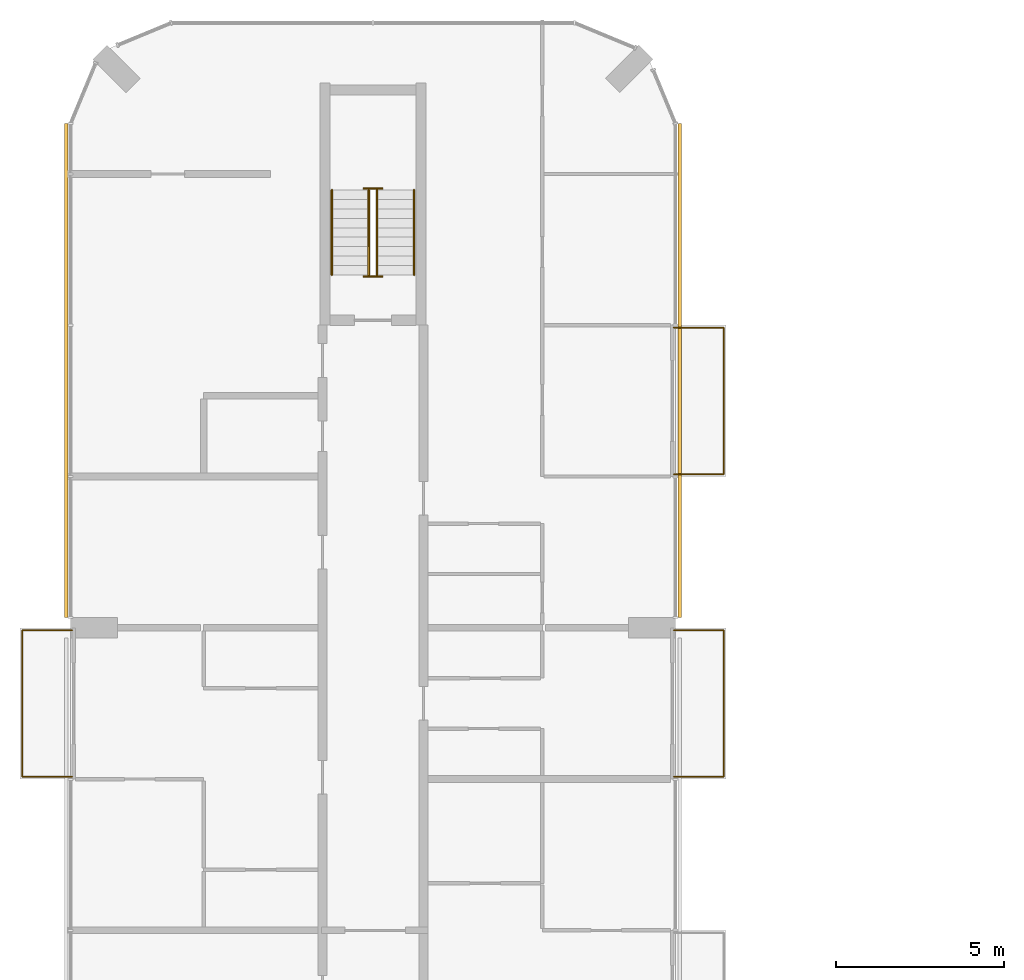
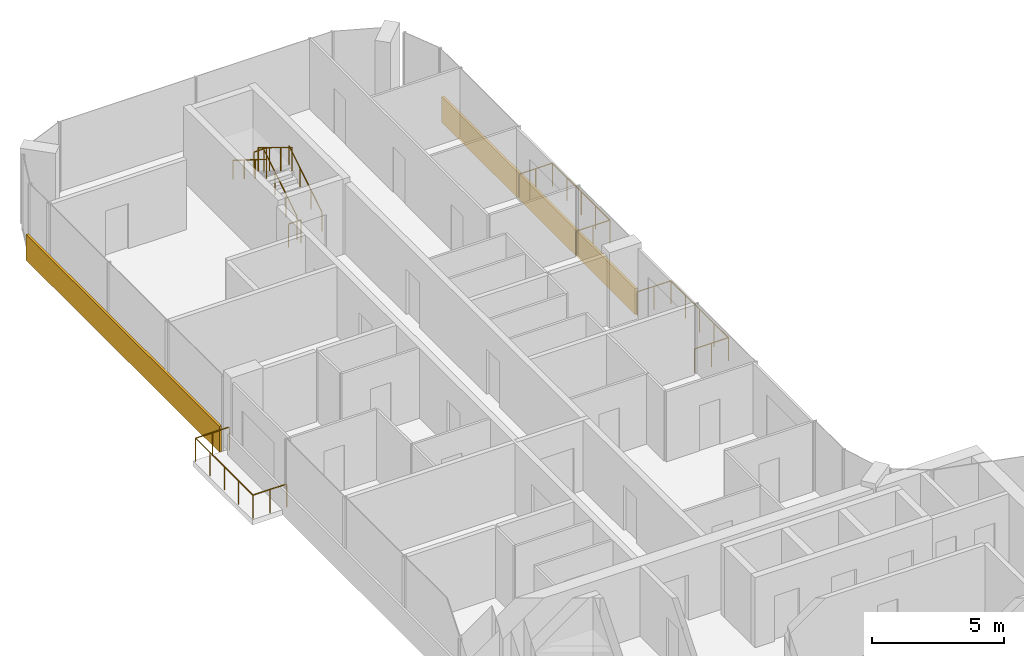
# One storey, part 15 of 15: 9 railings, 2 coverings.
"""IFC4 building model written with IfcOpenShell, lengths in metres."""

from ifc_helpers import new_model, si_unit, direction, frame, origin, origin_2d, place, context, subcontext, project, spatial, rectangle, circle, extrude, material, layer, layer_set, type_object, element, save


model = new_model("IFC4")

# Units and contexts
model_context = context("Model", 3, precision=1e-05, world=origin(), true_north=direction((0.0, 1.0)))
body_context = subcontext(model_context, "Body", "Model", "MODEL_VIEW")
ifc_project = project(units=[si_unit("LENGTHUNIT", "METRE"), si_unit("AREAUNIT", "SQUARE_METRE"), si_unit("VOLUMEUNIT", "CUBIC_METRE"), si_unit("PLANEANGLEUNIT", "RADIAN"), si_unit("MASSUNIT", "GRAM", prefix="KILO")], contexts=[model_context])

# Site, building, storey
site_placement = place(None, origin())
site = spatial("IfcSite", under=ifc_project, at=site_placement, CompositionType="ELEMENT")
building_placement = place(site_placement, origin())
building = spatial("IfcBuilding", under=site, at=building_placement, Name="Plateau Cross Towers", CompositionType="ELEMENT")
storey_placement = place(building_placement, frame((0.0, 0.0, 208.39990234375)))
storey = spatial("IfcBuildingStorey", under=building, at=storey_placement, Name="L54", CompositionType="ELEMENT", Elevation=208.39990234375)

# Railings
ifc_material_1 = material(Name="Stainless steel and toughened glass", Category="steel")
railing_type_1 = type_object("IfcRailingType", Name="Glass balustrade guard 1100", PredefinedType="GUARDRAIL", material=ifc_material_1)
railing_1_placement = place(storey_placement, frame((0.050048828125, 31.570068359375, 0.0)))
element("IfcRailing", 1, at=railing_1_placement, inside=storey, type_object=railing_type_1, Name="Guard guard1", PredefinedType="GUARDRAIL", context=body_context, shape_type="SweptSolid", body=[
    extrude(circle(Radius=0.02392578125, at=origin_2d()), frame((0.0, 0.0, 1.076171875), z_axis=(-1.0, 0.0, 0.0), x_axis=(0.0, -1.0, 0.0)), (0.0, 0.0, 1.0), 1.47998046875),
    extrude(circle(Radius=0.02392578125, at=origin_2d()), frame((-1.47998046875, 0.0, 1.076171875), z_axis=(0.0, 1.0, 0.0), x_axis=(-1.0, 0.0, 0.0)), (0.0, 0.0, 1.0), 4.35986328125),
    extrude(circle(Radius=0.02392578125, at=origin_2d()), frame((-1.47998046875, 4.35986328125, 1.076171875), z_axis=(1.0, 0.0, 0.0), x_axis=(0.0, 1.0, 0.0)), (0.0, 0.0, 1.0), 1.47998046875),
    extrude(circle(Radius=0.02099609375, at=origin_2d()), origin(), (0.0, 0.0, 1.0), 1.052001953125),
    extrude(circle(Radius=0.02099609375, at=origin_2d()), frame((-0.739990234375, 0.0, 0.0)), (0.0, 0.0, 1.0), 1.052001953125),
    extrude(circle(Radius=0.02099609375, at=origin_2d()), frame((-1.47998046875, 0.0, 0.0)), (0.0, 0.0, 1.0), 1.052001953125),
    extrude(circle(Radius=0.02099609375, at=origin_2d()), frame((-1.47998046875, 1.08984375, 0.0)), (0.0, 0.0, 1.0), 1.052001953125),
    extrude(circle(Radius=0.02099609375, at=origin_2d()), frame((-1.47998046875, 2.179931640625, 0.0)), (0.0, 0.0, 1.0), 1.052001953125),
    extrude(circle(Radius=0.02099609375, at=origin_2d()), frame((-1.47998046875, 3.27001953125, 0.0)), (0.0, 0.0, 1.0), 1.052001953125),
    extrude(circle(Radius=0.02099609375, at=origin_2d()), frame((-1.47998046875, 4.35986328125, 0.0)), (0.0, 0.0, 1.0), 1.052001953125),
    extrude(circle(Radius=0.02099609375, at=origin_2d()), frame((-0.739990234375, 4.35986328125, 0.0)), (0.0, 0.0, 1.0), 1.052001953125),
    extrude(circle(Radius=0.02099609375, at=origin_2d()), frame((0.0, 4.35986328125, 0.0)), (0.0, 0.0, 1.0), 1.052001953125),
])
for number, where, name in (
    (2, (17.949951171875, 35.929931640625, 0.0), "Guard guard1"),
    (3, (17.949951171875, 44.929931640625, 0.0), "Guard guard1"),
):
    element("IfcRailing", number, at=place(storey_placement, frame(where)), inside=storey, type_object=railing_type_1, Name=name, PredefinedType="GUARDRAIL", context=body_context, shape_type="SweptSolid", body=[
        extrude(circle(Radius=0.02392578125, at=origin_2d()), frame((0.0, 0.0, 1.076171875), z_axis=(1.0, 0.0, 0.0), x_axis=(0.0, 1.0, 0.0)), (0.0, 0.0, 1.0), 1.47998046875),
        extrude(circle(Radius=0.02392578125, at=origin_2d()), frame((1.47998046875, 0.0, 1.076171875), z_axis=(0.0, -1.0, 0.0), x_axis=(1.0, 0.0, 0.0)), (0.0, 0.0, 1.0), 4.35986328125),
        extrude(circle(Radius=0.02392578125, at=origin_2d()), frame((1.47998046875, -4.35986328125, 1.076171875), z_axis=(-1.0, 0.0, 0.0), x_axis=(0.0, -1.0, 0.0)), (0.0, 0.0, 1.0), 1.47998046875),
        extrude(circle(Radius=0.02099609375, at=origin_2d()), origin(), (0.0, 0.0, 1.0), 1.052001953125),
        extrude(circle(Radius=0.02099609375, at=origin_2d()), frame((0.739990234375, 0.0, 0.0)), (0.0, 0.0, 1.0), 1.052001953125),
        extrude(circle(Radius=0.02099609375, at=origin_2d()), frame((1.47998046875, 0.0, 0.0)), (0.0, 0.0, 1.0), 1.052001953125),
        extrude(circle(Radius=0.02099609375, at=origin_2d()), frame((1.47998046875, -1.08984375, 0.0)), (0.0, 0.0, 1.0), 1.052001953125),
        extrude(circle(Radius=0.02099609375, at=origin_2d()), frame((1.47998046875, -2.179931640625, 0.0)), (0.0, 0.0, 1.0), 1.052001953125),
        extrude(circle(Radius=0.02099609375, at=origin_2d()), frame((1.47998046875, -3.27001953125, 0.0)), (0.0, 0.0, 1.0), 1.052001953125),
        extrude(circle(Radius=0.02099609375, at=origin_2d()), frame((1.47998046875, -4.35986328125, 0.0)), (0.0, 0.0, 1.0), 1.052001953125),
        extrude(circle(Radius=0.02099609375, at=origin_2d()), frame((0.739990234375, -4.35986328125, 0.0)), (0.0, 0.0, 1.0), 1.052001953125),
        extrude(circle(Radius=0.02099609375, at=origin_2d()), frame((0.0, -4.35986328125, 0.0)), (0.0, 0.0, 1.0), 1.052001953125),
    ])
railing_type_2 = type_object("IfcRailingType", Name="RL-GUARD-1100", PredefinedType="GUARDRAIL", material=ifc_material_1)
railing_2_placement = place(storey_placement, frame((9.125, 46.5, 0.175048828125)))
element("IfcRailing", 4, at=railing_2_placement, inside=storey, type_object=railing_type_2, Name="L54 ES-N stair guard 1", PredefinedType="GUARDRAIL", context=body_context, shape_type="SweptSolid", body=[
    extrude(circle(Radius=0.02392578125, at=origin_2d()), frame((0.0, 0.0, 1.076171875), z_axis=(0.0, 0.848007534815, 0.529984170421), x_axis=(-1.0, 0.0, 0.0)), (0.0, 0.0, 1.0), 2.9716796875),
    extrude(circle(Radius=0.02099609375, at=origin_2d()), origin(), (0.0, 0.0, 1.0), 1.052001953125),
    extrude(circle(Radius=0.02099609375, at=origin_2d()), frame((0.0, 0.840087890625, 0.52490234375)), (0.0, 0.0, 1.0), 1.052001953125),
    extrude(circle(Radius=0.02099609375, at=origin_2d()), frame((0.0, 1.679931640625, 1.050048828125)), (0.0, 0.0, 1.0), 1.052001953125),
    extrude(circle(Radius=0.02099609375, at=origin_2d()), frame((0.0, 2.52001953125, 1.574951171875)), (0.0, 0.0, 1.0), 1.052001953125),
])
railing_3_placement = place(storey_placement, frame((9.27490234375, 49.070068359375, 1.75)))
element("IfcRailing", 5, at=railing_3_placement, inside=storey, type_object=railing_type_2, Name="L54 ES-N stair guard 2", PredefinedType="GUARDRAIL", context=body_context, shape_type="SweptSolid", body=[
    extrude(circle(Radius=0.02392578125, at=origin_2d()), frame((0.0, 0.0, 1.076171875), z_axis=(-1.0, 0.0, 0.0), x_axis=(0.0, -1.0, 0.0)), (0.0, 0.0, 1.0), 0.5498046875),
    extrude(circle(Radius=0.02099609375, at=origin_2d()), origin(), (0.0, 0.0, 1.0), 1.052001953125),
    extrude(circle(Radius=0.02099609375, at=origin_2d()), frame((-0.5498046875, 0.0, 0.0)), (0.0, 0.0, 1.0), 1.052001953125),
])
railing_4_placement = place(storey_placement, frame((8.875, 49.02001953125, 1.925048828125)))
element("IfcRailing", 6, at=railing_4_placement, inside=storey, type_object=railing_type_2, Name="L54 ES-N stair guard 3", PredefinedType="GUARDRAIL", context=body_context, shape_type="SweptSolid", body=[
    extrude(circle(Radius=0.02392578125, at=origin_2d()), frame((0.0, 0.0, 1.076171875), z_axis=(0.0, -0.852638500773, 0.522501279423), x_axis=(1.0, 0.0, 0.0)), (0.0, 0.0, 1.0), 3.01416015625),
    extrude(circle(Radius=0.02099609375, at=origin_2d()), origin(), (0.0, 0.0, 1.0), 1.052001953125),
    extrude(circle(Radius=0.02099609375, at=origin_2d()), frame((0.0, -0.856689453125, 0.52490234375)), (0.0, 0.0, 1.0), 1.052001953125),
    extrude(circle(Radius=0.02099609375, at=origin_2d()), frame((0.0, -1.71337890625, 1.050048828125)), (0.0, 0.0, 1.0), 1.052001953125),
    extrude(circle(Radius=0.02099609375, at=origin_2d()), frame((0.0, -2.570068359375, 1.574951171875)), (0.0, 0.0, 1.0), 1.052001953125),
])
railing_5_placement = place(storey_placement, frame((9.27490234375, 46.449951171875, 0.0)))
element("IfcRailing", 7, at=railing_5_placement, inside=storey, type_object=railing_type_2, Name="L54 ES-N stair guard 4", PredefinedType="GUARDRAIL", context=body_context, shape_type="SweptSolid", body=[
    extrude(circle(Radius=0.02392578125, at=origin_2d()), frame((0.0, 0.0, 1.076171875), z_axis=(-1.0, 0.0, 0.0), x_axis=(0.0, -1.0, 0.0)), (0.0, 0.0, 1.0), 0.5498046875),
    extrude(circle(Radius=0.02099609375, at=origin_2d()), origin(), (0.0, 0.0, 1.0), 1.052001953125),
    extrude(circle(Radius=0.02099609375, at=origin_2d()), frame((-0.5498046875, 0.0, 0.0)), (0.0, 0.0, 1.0), 1.052001953125),
])
ifc_material_2 = material(Name="Black anodised aluminium", Category="aluminium")
railing_type_3 = type_object("IfcRailingType", Name="RL-HANDRAIL-900", PredefinedType="HANDRAIL", material=ifc_material_2)
railing_6_placement = place(storey_placement, frame((10.22509765625, 46.5, 0.175048828125)))
element("IfcRailing", 8, at=railing_6_placement, inside=storey, type_object=railing_type_3, Name="L54 ES-N stair handrail 1", PredefinedType="HANDRAIL", context=body_context, shape_type="SweptSolid", body=[
    extrude(circle(Radius=0.02392578125, at=origin_2d()), frame((0.0, 0.0, 0.8759765625), z_axis=(0.0, 0.848007534815, 0.529984170421), x_axis=(-1.0, 0.0, 0.0)), (0.0, 0.0, 1.0), 2.9716796875),
    extrude(circle(Radius=0.02099609375, at=origin_2d()), origin(), (0.0, 0.0, 1.0), 0.851806640625),
    extrude(circle(Radius=0.02099609375, at=origin_2d()), frame((0.0, 0.840087890625, 0.52490234375)), (0.0, 0.0, 1.0), 0.851806640625),
    extrude(circle(Radius=0.02099609375, at=origin_2d()), frame((0.0, 1.679931640625, 1.050048828125)), (0.0, 0.0, 1.0), 0.851806640625),
    extrude(circle(Radius=0.02099609375, at=origin_2d()), frame((0.0, 2.52001953125, 1.574951171875)), (0.0, 0.0, 1.0), 0.851806640625),
])
railing_7_placement = place(storey_placement, frame((7.77490234375, 49.02001953125, 1.925048828125)))
element("IfcRailing", 9, at=railing_7_placement, inside=storey, type_object=railing_type_3, Name="L54 ES-N stair handrail 2", PredefinedType="HANDRAIL", context=body_context, shape_type="SweptSolid", body=[
    extrude(circle(Radius=0.02392578125, at=origin_2d()), frame((0.0, 0.0, 0.8759765625), z_axis=(0.0, -0.848007534815, 0.529984170421), x_axis=(1.0, 0.0, 0.0)), (0.0, 0.0, 1.0), 2.9716796875),
    extrude(circle(Radius=0.02099609375, at=origin_2d()), origin(), (0.0, 0.0, 1.0), 0.851806640625),
    extrude(circle(Radius=0.02099609375, at=origin_2d()), frame((0.0, -0.840087890625, 0.52490234375)), (0.0, 0.0, 1.0), 0.851806640625),
    extrude(circle(Radius=0.02099609375, at=origin_2d()), frame((0.0, -1.679931640625, 1.050048828125)), (0.0, 0.0, 1.0), 0.851806640625),
    extrude(circle(Radius=0.02099609375, at=origin_2d()), frame((0.0, -2.52001953125, 1.574951171875)), (0.0, 0.0, 1.0), 0.851806640625),
])

# Coverings
ifc_material_3 = material(Name="Precast concrete cladding C40/50", Category="concrete")
ifc_layer = layer(ifc_material_3, 0.10009765625)
ifc_layer_set = layer_set([ifc_layer], Name="Precast concrete cladding C40/50")
covering_type = type_object("IfcCoveringType", Name="Spandrel band cladding 100x1200", PredefinedType="CLADDING", material=ifc_layer_set)
for number, where, z_axis, x_axis, name in (
    (10, (18.1201171875, 43.64990234375, -0.25), (0.0, 0.0, 1.0), (0.0, 1.0, 0.0), "Spandrel band"),
    (11, (-0.1201171875, 43.64990234375, -0.25), (0.0, 0.0, 1.0), (0.0, -1.0, 0.0), "Spandrel band"),
):
    element("IfcCovering", number, at=place(storey_placement, frame(where, z_axis=z_axis, x_axis=x_axis)), inside=storey, type_object=covering_type, Name=name, PredefinedType="CLADDING", context=body_context, shape_type="SweptSolid", body=[
        extrude(rectangle(XDim=14.699951171875, YDim=0.10009765625, at=origin_2d()), origin(), (0.0, 0.0, 1.0), 1.199951171875),
    ])

save(model, "model.ifc")
